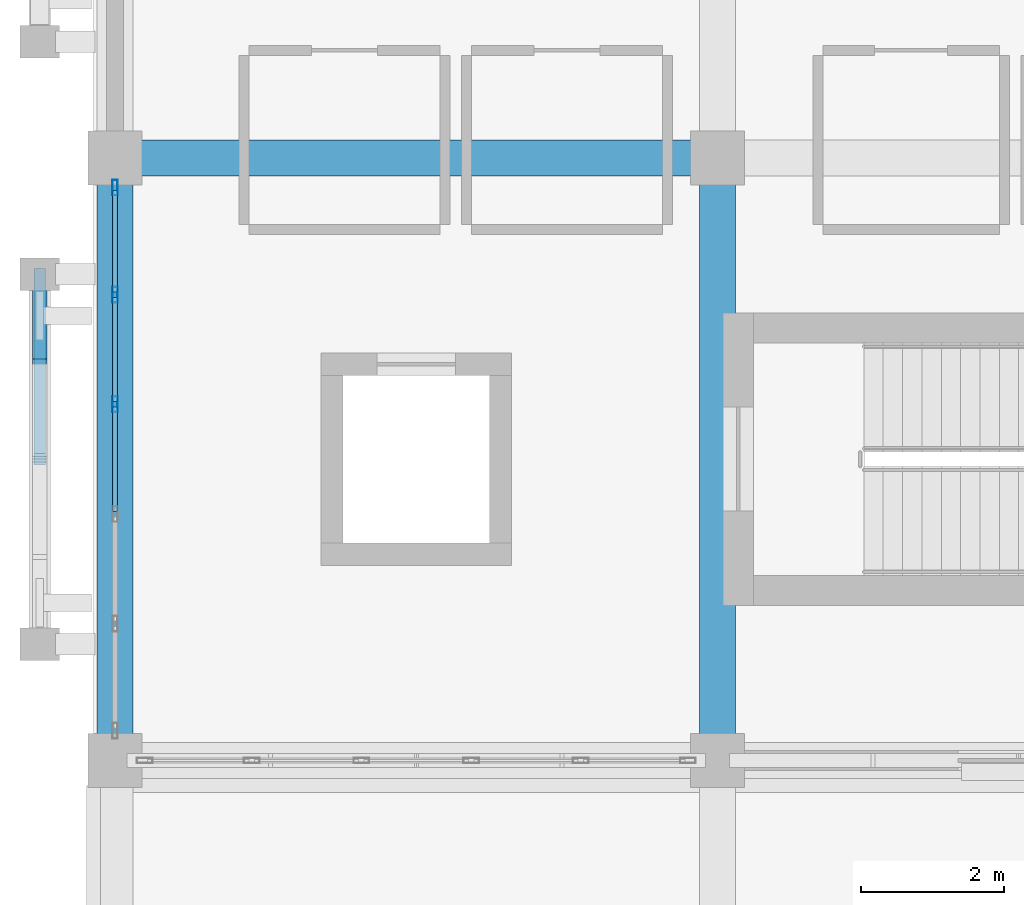
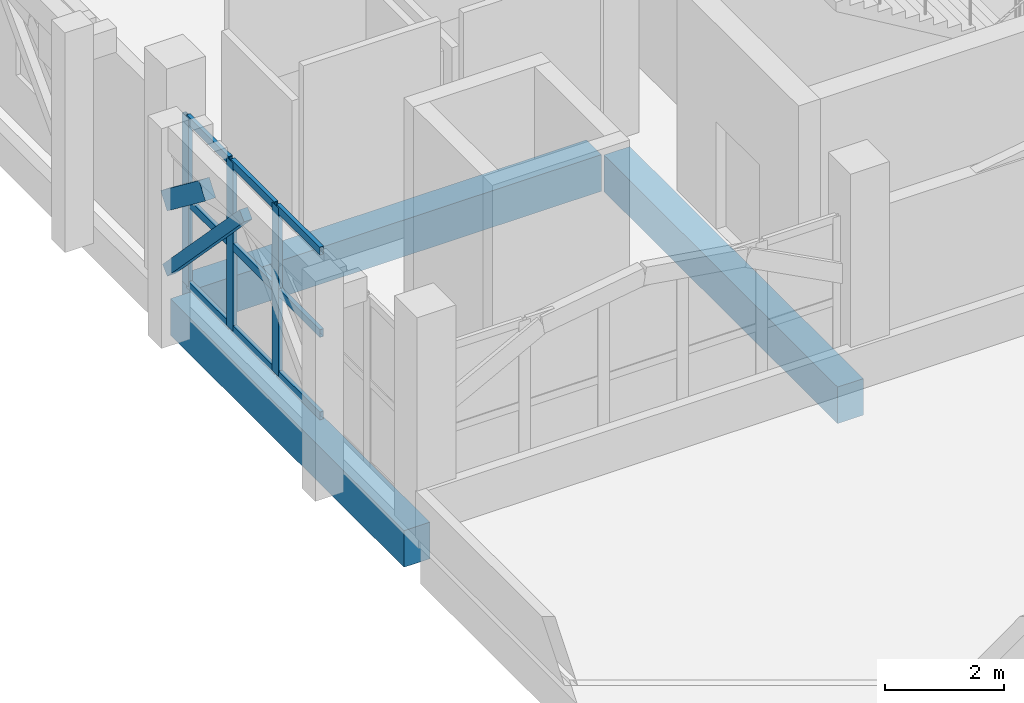
# One storey, part 4 of 30: 14 members, 3 beams, 1 element without a shape of its own.
"""IFC4 building model written with IfcOpenShell, lengths in metres."""

import ifcopenshell
import ifcopenshell.guid

model = None  # the IFC model being written
_history = None  # IfcOwnerHistory: only IFC2X3 demands one
_inside = {}  # id of a spatial element -> (the spatial element, [elements in it])
_under = {}  # id of a project, library or spatial element -> (it, [spatial elements below it])
_declared = {}  # id of a project -> (the project, [libraries it declares])
_typed = {}  # id of a type object -> (the type object, [elements of that type])
_made_of = {}  # id of a material, layer set ... -> (it, [elements and type objects made of it])


def new_model(schema):
    """Start an empty IFC model of exactly this schema.

    Asked for "IFC4X3", IfcOpenShell would pick the latest addendum, in which some entities
    have other attributes; the version numbers below select the first issue.
    IFC2X3 requires an IfcOwnerHistory on every rooted entity: one is made here for all.
    """
    global model, _history
    if schema == "IFC4X3":
        model = ifcopenshell.file(schema_version=(4, 3, 0, 0))
    else:
        model = ifcopenshell.file(schema=schema)
    _inside.clear()
    _under.clear()
    _declared.clear()
    _typed.clear()
    _made_of.clear()
    _history = None
    if model.schema == "IFC2X3":
        org = make("IfcOrganization", Name="unknown")
        user = make(
            "IfcPersonAndOrganization",
            ThePerson=make("IfcPerson", FamilyName="unknown"),
            TheOrganization=org,
        )
        app = make(
            "IfcApplication",
            ApplicationDeveloper=org,
            Version="unknown",
            ApplicationFullName="unknown",
            ApplicationIdentifier="unknown",
        )
        _history = make(
            "IfcOwnerHistory",
            OwningUser=user,
            OwningApplication=app,
            ChangeAction="ADDED",
            CreationDate=0,
        )
    return model


def make(cls, **values):
    """One entity of the class cls with the attributes given. An attribute that is None is left unset."""
    return model.create_entity(
        cls, **{name: value for name, value in values.items() if value is not None}
    )


def rooted(cls, **values):
    """An entity with a GlobalId (a new one), such as an element, a storey or a relation."""
    return make(cls, GlobalId=ifcopenshell.guid.new(), OwnerHistory=_history, **values)


def si_unit(unit_type, name, prefix=None):
    """IfcSIUnit, for example si_unit("LENGTHUNIT", "METRE", prefix="MILLI")."""
    return make("IfcSIUnit", UnitType=unit_type, Prefix=prefix, Name=name)


def assignment(units):
    """IfcUnitAssignment: the units of a project."""
    return None if units is None else make("IfcUnitAssignment", Units=units)


def point(xyz):
    """IfcCartesianPoint."""
    return None if xyz is None else make("IfcCartesianPoint", Coordinates=xyz)


def direction(xyz):
    """IfcDirection."""
    return None if xyz is None else make("IfcDirection", DirectionRatios=xyz)


def frame(location, z_axis=None, x_axis=None):
    """IfcAxis2Placement3D, a coordinate frame: its origin and axes. An axis left out is left unset."""
    return make(
        "IfcAxis2Placement3D",
        Location=point(location),
        Axis=direction(z_axis),
        RefDirection=direction(x_axis),
    )


def frame_2d(location, x_axis=None):
    """IfcAxis2Placement2D, a coordinate frame in the plane: its origin and x axis."""
    return make(
        "IfcAxis2Placement2D", Location=point(location), RefDirection=direction(x_axis)
    )


def origin():
    """The frame at (0, 0, 0) with its axes left unset."""
    return frame((0.0, 0.0, 0.0))


def origin_2d():
    """The frame at (0, 0) in the plane with its x axis left unset."""
    return frame_2d((0.0, 0.0))


def place(relative_to, where):
    """IfcLocalPlacement: puts the frame where relative to a parent placement (None: the world)."""
    return make(
        "IfcLocalPlacement", PlacementRelTo=relative_to, RelativePlacement=where
    )


def context(
    kind, dimensions, precision=None, world=None, true_north=None, identifier=None
):
    """IfcGeometricRepresentationContext, for example the 3D "Model" context."""
    return make(
        "IfcGeometricRepresentationContext",
        ContextIdentifier=identifier,
        ContextType=kind,
        CoordinateSpaceDimension=dimensions,
        Precision=precision,
        WorldCoordinateSystem=world,
        TrueNorth=true_north,
    )


def subcontext(parent, identifier, kind, view, scale=None):
    """IfcGeometricRepresentationSubContext, for example "Body" below "Model"."""
    return make(
        "IfcGeometricRepresentationSubContext",
        ContextIdentifier=identifier,
        ContextType=kind,
        ParentContext=parent,
        TargetScale=scale,
        TargetView=view,
    )


def project(units=None, contexts=None):
    """IfcProject with its units and contexts."""
    return rooted(
        "IfcProject",
        Name="project",
        RepresentationContexts=contexts,
        UnitsInContext=assignment(units),
    )


def spatial(cls, under=None, at=None, **own):
    """A site, building, storey or space (cls), placed at a placement, below another one or the project."""
    s = rooted(cls, ObjectPlacement=at, **own)
    if under is not None:
        _under.setdefault(under.id(), (under, []))[1].append(s)
    return s


def profile(cls, at=None, kind="AREA", **sizes):
    """A parametric profile (cls). Its sizes go by their IFC names, for example OverallWidth=200.0."""
    return make(cls, ProfileType=kind, Position=at, **sizes)


def rectangle(**sizes):
    """IfcRectangleProfileDef."""
    return profile("IfcRectangleProfileDef", **sizes)


def hollow_rectangle(**sizes):
    """IfcRectangleHollowProfileDef."""
    return profile("IfcRectangleHollowProfileDef", **sizes)


def extrude(swept, where, along, depth):
    """IfcExtrudedAreaSolid: the profile swept, set in the frame where, extruded along a direction by depth."""
    return make(
        "IfcExtrudedAreaSolid",
        SweptArea=swept,
        Position=where,
        ExtrudedDirection=direction(along),
        Depth=depth,
    )


def shape(context_of_items, identifier, shape_type, items):
    """IfcShapeRepresentation: the items that make up one representation, for example the "Body"."""
    return make(
        "IfcShapeRepresentation",
        ContextOfItems=context_of_items,
        RepresentationIdentifier=identifier,
        RepresentationType=shape_type,
        Items=items,
    )


def material(Name=None, Category=None):
    """IfcMaterial."""
    return make("IfcMaterial", Name=Name, Category=Category)


def layer(
    of_material, thickness, ventilated=None, Name=None, Category=None, Priority=None
):
    """IfcMaterialLayer: one layer of a wall or slab, of a material (None: an air gap)."""
    return make(
        "IfcMaterialLayer",
        Material=of_material,
        LayerThickness=thickness,
        IsVentilated=ventilated,
        Name=Name,
        Category=Category,
        Priority=Priority,
    )


def layer_set(layers, Name=None):
    """IfcMaterialLayerSet."""
    return make("IfcMaterialLayerSet", MaterialLayers=layers, LayerSetName=Name)


def material_profile(
    of_material, cross_section, Name=None, Category=None, Priority=None
):
    """IfcMaterialProfile: a cross section and its material."""
    return make(
        "IfcMaterialProfile",
        Name=Name,
        Material=of_material,
        Profile=cross_section,
        Priority=Priority,
        Category=Category,
    )


def profile_set(profiles, Name=None, composite=None):
    """IfcMaterialProfileSet."""
    return make(
        "IfcMaterialProfileSet",
        Name=Name,
        MaterialProfiles=profiles,
        CompositeProfile=composite,
    )


def made_of(thing, what):
    """Note that an element or type object is made of a material, layer set ...; save() writes the relation."""
    if what is not None:
        _made_of.setdefault(what.id(), (what, []))[1].append(thing)
    return thing


def type_object(cls, material=None, **own):
    """A type object (cls), such as IfcWallType, which elements share."""
    return made_of(rooted(cls, **own), material)


def element(
    cls,
    number,
    at=None,
    inside=None,
    cuts=None,
    type_object=None,
    material=None,
    context=None,
    identifier="Body",
    shape_type=None,
    held_by="IfcProductDefinitionShape",
    body=None,
    shapes=None,
    **own,
):
    """One element of the class cls, such as IfcWall. Its Tag is "e" and its number.

    at: its placement. inside: the storey or other place that contains it. cuts: it is an
    opening in that element (IfcRelVoidsElement). A single representation is given by context,
    identifier, shape_type and body (its items); several are given by shapes. held_by: the class
    of the entity that holds the representations. save() writes the other relations.
    """
    e = rooted(cls, Tag="e%d" % number, ObjectPlacement=at, **own)
    if body is not None:
        shapes = [shape(context, identifier, shape_type, body)]
    if shapes is not None:
        e.Representation = make(held_by, Representations=shapes)
    if inside is not None:
        _inside.setdefault(inside.id(), (inside, []))[1].append(e)
    if cuts is not None:
        rooted(
            "IfcRelVoidsElement", RelatingBuildingElement=cuts, RelatedOpeningElement=e
        )
    if type_object is not None:
        _typed.setdefault(type_object.id(), (type_object, []))[1].append(e)
    return made_of(e, material)


def aggregate(whole, parts):
    """IfcRelAggregates: a whole, such as a stair, and the parts it consists of."""
    return rooted("IfcRelAggregates", RelatingObject=whole, RelatedObjects=parts)


def save(model, path):
    """Write the relations noted so far, then the file.

    IfcRelAggregates (storeys below a building ...), IfcRelContainedInSpatialStructure (elements
    in a storey), IfcRelDefinesByType, IfcRelAssociatesMaterial and IfcRelDeclares: one each for
    every whole, place, type object, material and project.
    """
    for whole, parts in _under.values():
        aggregate(whole, parts)
    for where, things in _inside.values():
        rooted(
            "IfcRelContainedInSpatialStructure",
            RelatedElements=things,
            RelatingStructure=where,
        )
    for kind, things in _typed.values():
        rooted("IfcRelDefinesByType", RelatedObjects=things, RelatingType=kind)
    for what, things in _made_of.values():
        rooted("IfcRelAssociatesMaterial", RelatedObjects=things, RelatingMaterial=what)
    for by, libraries in _declared.values():
        rooted("IfcRelDeclares", RelatingContext=by, RelatedDefinitions=libraries)
    model.write(path)


model = new_model("IFC4")

# Units and contexts
model_context = context("Model", 3, precision=1e-05, world=origin(), true_north=direction((0.0, 1.0)))
body_context = subcontext(model_context, "Body", "Model", "MODEL_VIEW")
ifc_project = project(units=[si_unit("LENGTHUNIT", "METRE"), si_unit("AREAUNIT", "SQUARE_METRE"), si_unit("VOLUMEUNIT", "CUBIC_METRE"), si_unit("PLANEANGLEUNIT", "RADIAN"), si_unit("MASSUNIT", "GRAM", prefix="KILO")], contexts=[model_context])

# Site, building, storey
site_placement = place(None, origin())
site = spatial("IfcSite", under=ifc_project, at=site_placement, CompositionType="ELEMENT")
building_placement = place(site_placement, origin())
building = spatial("IfcBuilding", under=site, at=building_placement, Name="Xazarin Passage Department Store", CompositionType="ELEMENT")
storey_placement = place(building_placement, frame((0.0, 0.0, 23.39990234375)))
storey = spatial("IfcBuildingStorey", under=building, at=storey_placement, Name="L05", CompositionType="ELEMENT", Elevation=23.39990234375)

# Curtain wall, members
ifc_material_1 = material(Name="Bronze anodised aluminium", Category="aluminium")
ifc_layer = layer(ifc_material_1, 0.199951171875)
ifc_layer_set = layer_set([ifc_layer], Name="Bronze anodised aluminium")
curtain_wall_type = type_object("IfcCurtainWallType", Name="ARC-CW-VIT2", PredefinedType="NOTDEFINED", material=ifc_layer_set)
curtain_wall_placement = place(storey_placement, origin())
curtain_wall = element("IfcCurtainWall", 1, at=curtain_wall_placement, inside=storey, type_object=curtain_wall_type, Name="L05 V1 Curtain Wall 081", PredefinedType="NOTDEFINED")
ifc_material_profile_1 = material_profile(ifc_material_1, hollow_rectangle(XDim=0.074951171875, YDim=0.219970703125, WallThickness=0.0048828125, at=origin_2d()), Name="ALU 75x220")
ifc_profile_set_1 = profile_set([ifc_material_profile_1], Name="Bronze anodised aluminium")
member_type_1 = type_object("IfcMemberType", Name="ARC-CWM-75x220", PredefinedType="MULLION", material=ifc_profile_set_1)
member_1_placement = place(storey_placement, frame((0.0, 81.364990234375, 0.0), z_axis=(0.0, 0.0, 1.0), x_axis=(-1.0, 0.0, 0.0)))
member_1 = element("IfcMember", 2, at=member_1_placement, type_object=member_type_1, Name="CW2 mullion 4", PredefinedType="MULLION", context=body_context, shape_type="SweptSolid", body=[
    extrude(hollow_rectangle(XDim=0.074951171875, YDim=0.219970703125, WallThickness=0.0048828125, at=origin_2d()), origin(), (0.0, 0.0, 1.0), 3.4501953125),
])
member_2_placement = place(storey_placement, frame((0.0, 82.89501953125, 0.0), z_axis=(0.0, 0.0, 1.0), x_axis=(-1.0, 0.0, 0.0)))
member_2 = element("IfcMember", 3, at=member_2_placement, type_object=member_type_1, Name="CW2 mullion 5", PredefinedType="MULLION", context=body_context, shape_type="SweptSolid", body=[
    extrude(hollow_rectangle(XDim=0.074951171875, YDim=0.219970703125, WallThickness=0.0048828125, at=origin_2d()), origin(), (0.0, 0.0, 1.0), 3.4501953125),
])
member_3_placement = place(storey_placement, frame((0.0, 84.387451171875, 0.0), z_axis=(0.0, 0.0, 1.0), x_axis=(-1.0, 0.0, 0.0)))
member_3 = element("IfcMember", 4, at=member_3_placement, type_object=member_type_1, Name="CW2 mullion 6", PredefinedType="MULLION", context=body_context, shape_type="SweptSolid", body=[
    extrude(hollow_rectangle(XDim=0.074951171875, YDim=0.219970703125, WallThickness=0.0048828125, at=origin_2d()), origin(), (0.0, 0.0, 1.0), 3.4501953125),
])
ifc_material_profile_2 = material_profile(ifc_material_1, hollow_rectangle(XDim=0.074951171875, YDim=0.159912109375, WallThickness=0.00439453125, at=origin_2d()), Name="ALU 75x160")
ifc_profile_set_2 = profile_set([ifc_material_profile_2], Name="Bronze anodised aluminium")
member_type_2 = type_object("IfcMemberType", Name="ARC-CWT-75x160", PredefinedType="USERDEFINED", material=ifc_profile_set_2)
member_4_placement = place(storey_placement, frame((0.0, 79.87255859375, 0.03759765625), z_axis=(0.0, 1.0, 0.0), x_axis=(-1.0, 0.0, 0.0)))
member_4 = element("IfcMember", 5, at=member_4_placement, type_object=member_type_2, Name="CW2 transom 3.1", ObjectType="TRANSOM", PredefinedType="USERDEFINED", context=body_context, shape_type="SweptSolid", body=[
    extrude(hollow_rectangle(XDim=0.074951171875, YDim=0.159912109375, WallThickness=0.00439453125, at=origin_2d()), origin(), (0.0, 0.0, 1.0), 1.454833984375),
])
member_5_placement = place(storey_placement, frame((0.0, 79.87255859375, 1.72509765625), z_axis=(0.0, 1.0, 0.0), x_axis=(-1.0, 0.0, 0.0)))
member_5 = element("IfcMember", 6, at=member_5_placement, type_object=member_type_2, Name="CW2 transom 3.2", ObjectType="TRANSOM", PredefinedType="USERDEFINED", context=body_context, shape_type="SweptSolid", body=[
    extrude(hollow_rectangle(XDim=0.074951171875, YDim=0.159912109375, WallThickness=0.00439453125, at=origin_2d()), origin(), (0.0, 0.0, 1.0), 1.454833984375),
])
member_6_placement = place(storey_placement, frame((0.0, 79.87255859375, 3.41259765625), z_axis=(0.0, 1.0, 0.0), x_axis=(-1.0, 0.0, 0.0)))
member_6 = element("IfcMember", 7, at=member_6_placement, type_object=member_type_2, Name="CW2 transom 3.3", ObjectType="TRANSOM", PredefinedType="USERDEFINED", context=body_context, shape_type="SweptSolid", body=[
    extrude(hollow_rectangle(XDim=0.074951171875, YDim=0.159912109375, WallThickness=0.00439453125, at=origin_2d()), origin(), (0.0, 0.0, 1.0), 1.454833984375),
])
member_7_placement = place(storey_placement, frame((0.0, 81.402587890625, 0.03759765625), z_axis=(0.0, 1.0, 0.0), x_axis=(-1.0, 0.0, 0.0)))
member_7 = element("IfcMember", 8, at=member_7_placement, type_object=member_type_2, Name="CW2 transom 4.1", ObjectType="TRANSOM", PredefinedType="USERDEFINED", context=body_context, shape_type="SweptSolid", body=[
    extrude(hollow_rectangle(XDim=0.074951171875, YDim=0.159912109375, WallThickness=0.00439453125, at=origin_2d()), origin(), (0.0, 0.0, 1.0), 1.454833984375),
])
member_8_placement = place(storey_placement, frame((0.0, 81.402587890625, 1.72509765625), z_axis=(0.0, 1.0, 0.0), x_axis=(-1.0, 0.0, 0.0)))
member_8 = element("IfcMember", 9, at=member_8_placement, type_object=member_type_2, Name="CW2 transom 4.2", ObjectType="TRANSOM", PredefinedType="USERDEFINED", context=body_context, shape_type="SweptSolid", body=[
    extrude(hollow_rectangle(XDim=0.074951171875, YDim=0.159912109375, WallThickness=0.00439453125, at=origin_2d()), origin(), (0.0, 0.0, 1.0), 1.454833984375),
])
member_9_placement = place(storey_placement, frame((0.0, 81.402587890625, 3.41259765625), z_axis=(0.0, 1.0, 0.0), x_axis=(-1.0, 0.0, 0.0)))
member_9 = element("IfcMember", 10, at=member_9_placement, type_object=member_type_2, Name="CW2 transom 4.3", ObjectType="TRANSOM", PredefinedType="USERDEFINED", context=body_context, shape_type="SweptSolid", body=[
    extrude(hollow_rectangle(XDim=0.074951171875, YDim=0.159912109375, WallThickness=0.00439453125, at=origin_2d()), origin(), (0.0, 0.0, 1.0), 1.454833984375),
])
member_10_placement = place(storey_placement, frame((0.0, 82.9326171875, 0.03759765625), z_axis=(0.0, 1.0, 0.0), x_axis=(-1.0, 0.0, 0.0)))
member_10 = element("IfcMember", 11, at=member_10_placement, type_object=member_type_2, Name="CW2 transom 5.1", ObjectType="TRANSOM", PredefinedType="USERDEFINED", context=body_context, shape_type="SweptSolid", body=[
    extrude(hollow_rectangle(XDim=0.074951171875, YDim=0.159912109375, WallThickness=0.00439453125, at=origin_2d()), origin(), (0.0, 0.0, 1.0), 1.41748046875),
])
member_11_placement = place(storey_placement, frame((0.0, 82.9326171875, 1.72509765625), z_axis=(0.0, 1.0, 0.0), x_axis=(-1.0, 0.0, 0.0)))
member_11 = element("IfcMember", 12, at=member_11_placement, type_object=member_type_2, Name="CW2 transom 5.2", ObjectType="TRANSOM", PredefinedType="USERDEFINED", context=body_context, shape_type="SweptSolid", body=[
    extrude(hollow_rectangle(XDim=0.074951171875, YDim=0.159912109375, WallThickness=0.00439453125, at=origin_2d()), origin(), (0.0, 0.0, 1.0), 1.41748046875),
])
member_12_placement = place(storey_placement, frame((0.0, 82.9326171875, 3.41259765625), z_axis=(0.0, 1.0, 0.0), x_axis=(-1.0, 0.0, 0.0)))
member_12 = element("IfcMember", 13, at=member_12_placement, type_object=member_type_2, Name="CW2 transom 5.3", ObjectType="TRANSOM", PredefinedType="USERDEFINED", context=body_context, shape_type="SweptSolid", body=[
    extrude(hollow_rectangle(XDim=0.074951171875, YDim=0.159912109375, WallThickness=0.00439453125, at=origin_2d()), origin(), (0.0, 0.0, 1.0), 1.41748046875),
])
aggregate(curtain_wall, [member_1, member_2, member_3, member_4, member_5, member_6, member_7, member_8, member_9, member_10, member_11, member_12])

# Beams
ifc_material_2 = material(Name="Concrete C35/45", Category="concrete")
ifc_material_profile_3 = material_profile(ifc_material_2, rectangle(XDim=0.5, YDim=0.75, at=origin_2d()), Name="RC 500x750")
ifc_profile_set_3 = profile_set([ifc_material_profile_3], Name="Concrete C35/45")
beam_type = type_object("IfcBeamType", Name="STR-BM-SP500x750", PredefinedType="SPANDREL", material=ifc_profile_set_3)
for number, where, z_axis, x_axis, name in (
    (14, (0.280029296875, 84.800048828125, -0.6748046875), (1.0, 0.0, 0.0), (0.0, 1.0, 0.0), "L05 Grid Beam M/1-2"),
    (15, (0.0, 76.679931640625, -0.6748046875), (0.0, 1.0, 0.0), (-1.0, 0.0, 0.0), "L05 Grid Beam 1/L-M"),
    (16, (8.39990234375, 76.679931640625, -0.6748046875), (0.0, 1.0, 0.0), (-1.0, 0.0, 0.0), "L05 Grid Beam 2/L-M"),
):
    element("IfcBeam", number, at=place(storey_placement, frame(where, z_axis=z_axis, x_axis=x_axis)), inside=storey, type_object=beam_type, Name=name, PredefinedType="SPANDREL", context=body_context, shape_type="SweptSolid", body=[
        extrude(rectangle(XDim=0.5, YDim=0.75, at=origin_2d()), origin(), (0.0, 0.0, 1.0), 7.840087890625),
    ])

# Members
ifc_material_3 = material(Name="Concrete C40/50", Category="concrete")
ifc_material_profile_4 = material_profile(ifc_material_3, rectangle(XDim=0.199951171875, YDim=0.360107421875, at=origin_2d()), Name="RC 200x360")
ifc_profile_set_4 = profile_set([ifc_material_profile_4], Name="Concrete C40/50")
member_type_3 = type_object("IfcMemberType", Name="STR-MEM-ARC360", PredefinedType="CHORD", material=ifc_profile_set_4)
member_13_placement = place(storey_placement, frame((-1.050048828125, 81.889892578125, 3.81640625), z_axis=(0.0, 0.79440903847, -0.607383140692), x_axis=(-1.0, 0.0, 0.0)))
element("IfcMember", 17, at=member_13_placement, inside=storey, type_object=member_type_3, Name="L05 V1 Pierced Lattice Curved Arch 011.4", PredefinedType="CHORD", context=body_context, shape_type="SweptSolid", body=[
    extrude(rectangle(XDim=0.199951171875, YDim=0.360107421875, at=origin_2d()), origin(), (0.0, 0.0, 1.0), 1.623779296875),
])
ifc_material_profile_5 = material_profile(ifc_material_3, rectangle(XDim=0.159912109375, YDim=0.219970703125, at=origin_2d()), Name="RC 160x220")
ifc_profile_set_5 = profile_set([ifc_material_profile_5], Name="Concrete C40/50")
member_type_4 = type_object("IfcMemberType", Name="STR-MEM-TRC220", PredefinedType="CHORD", material=ifc_profile_set_5)
member_14_placement = place(storey_placement, frame((-1.050048828125, 80.60009765625, 4.080078125), z_axis=(0.0, 0.693524382622, -0.72043315492), x_axis=(-1.0, 0.0, 0.0)))
element("IfcMember", 18, at=member_14_placement, inside=storey, type_object=member_type_4, Name="L05 V1 Upper Lattice Tracery Arch 011R", PredefinedType="CHORD", context=body_context, shape_type="SweptSolid", body=[
    extrude(rectangle(XDim=0.159912109375, YDim=0.219970703125, at=origin_2d()), origin(), (0.0, 0.0, 1.0), 3.719970703125),
])

save(model, "model.ifc")
